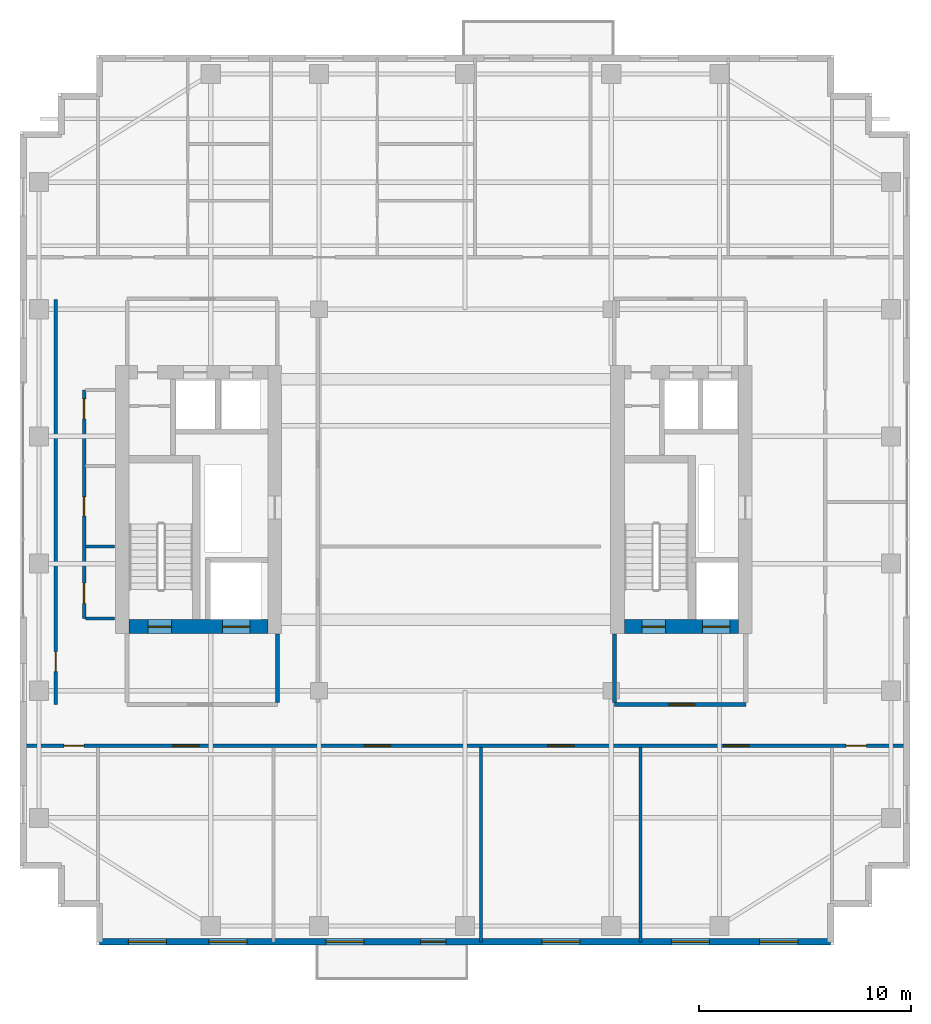
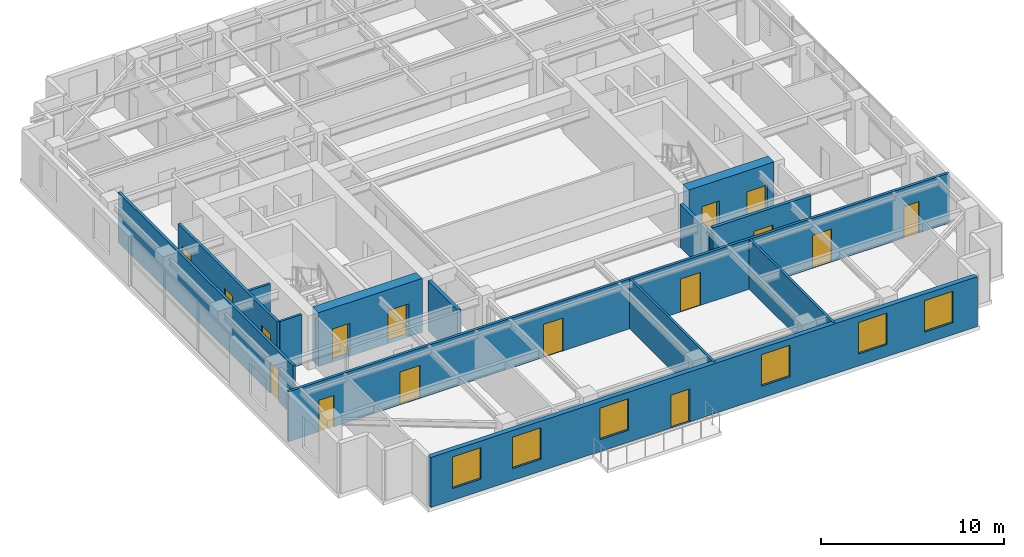
# One storey, part 9 of 14: 16 doors, 13 walls, 6 windows, 22 openings.
"""IFC4 building model written with IfcOpenShell, lengths in metres."""

from ifc_helpers import new_model, si_unit, direction, frame, frame_2d, origin, place, context, subcontext, project, spatial, rectangle, extrude, source, transform, mapped, material, layer, layer_set, type_object, element, fill, save


model = new_model("IFC4")

# Units and contexts
model_context = context("Model", 3, precision=1e-05, world=origin(), true_north=direction((0.0, 1.0)))
body_context = subcontext(model_context, "Body", "Model", "MODEL_VIEW")
ifc_project = project(units=[si_unit("LENGTHUNIT", "METRE"), si_unit("AREAUNIT", "SQUARE_METRE"), si_unit("VOLUMEUNIT", "CUBIC_METRE"), si_unit("PLANEANGLEUNIT", "RADIAN"), si_unit("MASSUNIT", "GRAM", prefix="KILO")], contexts=[model_context])

# Site, building, storey
site_placement = place(None, origin())
site = spatial("IfcSite", under=ifc_project, at=site_placement, CompositionType="ELEMENT")
building_placement = place(site_placement, origin())
building = spatial("IfcBuilding", under=site, at=building_placement, Name="Khoralis Quay Care Tower", CompositionType="ELEMENT")
storey_placement = place(building_placement, frame((0.0, 0.0, 177.300048828125)))
storey = spatial("IfcBuildingStorey", under=building, at=storey_placement, Name="L46", CompositionType="ELEMENT", Elevation=177.300048828125)

# Wall
ifc_material_1 = material(Name="Gypsum plasterboard on acoustic metal stud")
ifc_layer_1 = layer(ifc_material_1, 0.199951171875)
ifc_layer_set_1 = layer_set([ifc_layer_1], Name="Gypsum plasterboard on acoustic metal stud")
wall_type_1 = type_object("IfcWallType", Name="WL-COMP-200", PredefinedType="PARTITIONING", material=ifc_layer_set_1)
wall_1_placement = place(storey_placement, frame((15.14990234375, 11.445068359375, 0.0), z_axis=(0.0, 0.0, 1.0), x_axis=(0.0, 1.0, 0.0)))
element("IfcWall", 1, at=wall_1_placement, inside=storey, type_object=wall_type_1, Name="L46 West Firefighting Lobby East Wall", PredefinedType="PARTITIONING", context=body_context, shape_type="SweptSolid", body=[
    extrude(rectangle(XDim=3.23486328125, YDim=0.199951171875, at=frame_2d((1.617431640625, 0.0))), origin(), (0.0, 0.0, 1.0), 3.33984375),
])

# Wall, opening, door
wall_2_placement = place(storey_placement, frame((31.050048828125, 11.35009765625, 0.0), z_axis=(0.0, 0.0, 1.0), x_axis=(1.0, 0.0, 0.0)))
wall_2 = element("IfcWall", 2, at=wall_2_placement, inside=storey, type_object=wall_type_1, Name="L46 East Firefighting Lobby South Wall", PredefinedType="PARTITIONING", context=body_context, shape_type="SweptSolid", body=[
    extrude(rectangle(XDim=6.199951171875, YDim=0.199951171875, at=frame_2d((3.10009765625, 0.0))), origin(), (0.0, 0.0, 1.0), 3.33984375),
])
opening_1_placement = place(wall_2_placement, frame((2.585693359375, 0.0, 0.0)))
opening_1 = element("IfcOpeningElement", 3, at=opening_1_placement, cuts=wall_2, Name="Opening FD1", PredefinedType="OPENING", context=body_context, shape_type="SweptSolid", body=[
    extrude(rectangle(XDim=1.199951171875, YDim=2.199951171875, at=frame_2d((0.60009765625, 1.10009765625))), frame((0.0, 0.10986328125, 0.0), z_axis=(0.0, -1.0, 0.0), x_axis=(1.0, 0.0, 0.0)), (0.0, 0.0, 1.0), 0.219970703125),
])
ifc_material_2 = material(Name="Fire-rated painted steel", Category="steel")
door_type_1 = type_object("IfcDoorType", Name="DR-FFL-1200X2200", OperationType="NOTDEFINED", PredefinedType="DOOR", material=ifc_material_2)
shared_shape_1 = source(origin(), body_context, "Body", "SweptSolid", [
    extrude(rectangle(XDim=1.199951171875, YDim=2.199951171875, at=frame_2d((0.60009765625, 1.10009765625))), frame((0.0, 0.02490234375, 0.0), z_axis=(0.0, -1.0, 0.0), x_axis=(1.0, 0.0, 0.0)), (0.0, 0.0, 1.0), 0.050048828125),
])
door_1_placement = place(opening_1_placement, origin())
door_1 = element("IfcDoor", 4, at=door_1_placement, inside=storey, type_object=door_type_1, Name="L46 East Firefighting Lobby Fire Door", OperationType="SINGLE_SWING_LEFT", OverallHeight=2.199951171875, OverallWidth=1.199951171875, PredefinedType="DOOR", context=body_context, shape_type="MappedRepresentation", body=[
    mapped(shared_shape_1, transform((0.0, 0.0, 0.0), scale=1.0)),
])
fill(opening_1, door_1)

# Wall
wall_3_placement = place(storey_placement, frame((31.050048828125, 11.445068359375, 0.0), z_axis=(0.0, 0.0, 1.0), x_axis=(0.0, 1.0, 0.0)))
element("IfcWall", 5, at=wall_3_placement, inside=storey, type_object=wall_type_1, Name="L46 East Firefighting Lobby West Wall", PredefinedType="PARTITIONING", context=body_context, shape_type="SweptSolid", body=[
    extrude(rectangle(XDim=3.23486328125, YDim=0.199951171875, at=frame_2d((1.617431640625, 0.0))), origin(), (0.0, 0.0, 1.0), 2.876953125),
])

# Wall, openings, doors
ifc_material_3 = material(Name="Concrete C65/80", Category="concrete")
ifc_layer_2 = layer(ifc_material_3, 0.64990234375)
ifc_layer_set_2 = layer_set([ifc_layer_2], Name="Concrete C65/80")
wall_type_2 = type_object("IfcWallType", Name="WL-CORE-650", PredefinedType="SHEAR", material=ifc_layer_set_2)
wall_4_placement = place(storey_placement, frame((8.14990234375, 15.02490234375, 0.0), z_axis=(0.0, 0.0, 1.0), x_axis=(1.0, 0.0, 0.0)))
wall_4 = element("IfcWall", 6, at=wall_4_placement, inside=storey, type_object=wall_type_2, Name="L46 WCORE South Shear Wall", PredefinedType="SHEAR", context=body_context, shape_type="SweptSolid", body=[
    extrude(rectangle(XDim=6.550048828125, YDim=0.64990234375, at=frame_2d((3.27490234375, 0.0))), origin(), (0.0, 0.0, 1.0), 3.599853515625),
])
opening_2_placement = place(wall_4_placement, frame((0.89990234375, 0.0, 0.0)))
opening_2 = element("IfcOpeningElement", 7, at=opening_2_placement, cuts=wall_4, Name="Opening SD1", PredefinedType="OPENING", context=body_context, shape_type="SweptSolid", body=[
    extrude(rectangle(XDim=1.10009765625, YDim=2.199951171875, at=frame_2d((0.550048828125, 1.10009765625))), frame((0.0, 0.3349609375, 0.0), z_axis=(0.0, -1.0, 0.0), x_axis=(1.0, 0.0, 0.0)), (0.0, 0.0, 1.0), 0.669921875),
])
opening_3_placement = place(wall_4_placement, frame((4.39990234375, 0.0, 0.0)))
opening_3 = element("IfcOpeningElement", 8, at=opening_3_placement, cuts=wall_4, Name="Opening LD2", PredefinedType="OPENING", context=body_context, shape_type="SweptSolid", body=[
    extrude(rectangle(XDim=1.300048828125, YDim=2.199951171875, at=frame_2d((0.64990234375, 1.10009765625))), frame((0.0, 0.3349609375, 0.0), z_axis=(0.0, -1.0, 0.0), x_axis=(1.0, 0.0, 0.0)), (0.0, 0.0, 1.0), 0.669921875),
])
door_type_2 = type_object("IfcDoorType", Name="DR-STAIR-1100X2200", OperationType="NOTDEFINED", PredefinedType="DOOR", material=ifc_material_2)
shared_shape_2 = source(origin(), body_context, "Body", "SweptSolid", [
    extrude(rectangle(XDim=1.10009765625, YDim=2.199951171875, at=frame_2d((0.550048828125, 1.10009765625))), frame((0.0, 0.02490234375, 0.0), z_axis=(0.0, -1.0, 0.0), x_axis=(1.0, 0.0, 0.0)), (0.0, 0.0, 1.0), 0.050048828125),
])
door_2_placement = place(opening_2_placement, origin())
door_2 = element("IfcDoor", 9, at=door_2_placement, inside=storey, type_object=door_type_2, Name="L46 Stair ST-T1 Fire Door", OperationType="SINGLE_SWING_RIGHT", OverallHeight=2.199951171875, OverallWidth=1.10009765625, PredefinedType="DOOR", context=body_context, shape_type="MappedRepresentation", body=[
    mapped(shared_shape_2, transform((0.0, 0.0, 0.0), scale=1.0)),
])
fill(opening_2, door_2)
ifc_material_4 = material(Name="Brushed stainless steel", Category="steel")
door_type_3 = type_object("IfcDoorType", Name="DR-LIFT-1300X2200", OperationType="SLIDING_TO_RIGHT", PredefinedType="DOOR", material=ifc_material_4)
shared_shape_3 = source(origin(), body_context, "Body", "SweptSolid", [
    extrude(rectangle(XDim=1.300048828125, YDim=2.199951171875, at=frame_2d((0.64990234375, 1.10009765625))), frame((0.0, 0.02490234375, 0.0), z_axis=(0.0, -1.0, 0.0), x_axis=(1.0, 0.0, 0.0)), (0.0, 0.0, 1.0), 0.050048828125),
])
door_3_placement = place(opening_3_placement, origin())
door_3 = element("IfcDoor", 10, at=door_3_placement, inside=storey, type_object=door_type_3, Name="L46 Firefighting Lift FFL-1 Landing Door", OperationType="SLIDING_TO_RIGHT", OverallHeight=2.199951171875, OverallWidth=1.300048828125, PredefinedType="DOOR", context=body_context, shape_type="MappedRepresentation", body=[
    mapped(shared_shape_3, transform((0.0, 0.0, 0.0), scale=1.0)),
])
fill(opening_3, door_3)

wall_5_placement = place(storey_placement, frame((31.52001953125, 15.02490234375, 0.0), z_axis=(0.0, 0.0, 1.0), x_axis=(1.0, 0.0, 0.0)))
wall_5 = element("IfcWall", 11, at=wall_5_placement, inside=storey, type_object=wall_type_2, Name="L46 ECORE South Shear Wall", PredefinedType="SHEAR", context=body_context, shape_type="SweptSolid", body=[
    extrude(rectangle(XDim=5.3798828125, YDim=0.64990234375, at=frame_2d((2.68994140625, 0.0))), origin(), (0.0, 0.0, 1.0), 3.599853515625),
])
opening_4_placement = place(wall_5_placement, frame((0.830078125, 0.0, 0.0)))
opening_4 = element("IfcOpeningElement", 12, at=opening_4_placement, cuts=wall_5, Name="Opening SD1", PredefinedType="OPENING", context=body_context, shape_type="SweptSolid", body=[
    extrude(rectangle(XDim=1.10009765625, YDim=2.199951171875, at=frame_2d((0.550048828125, 1.10009765625))), frame((0.0, 0.3349609375, 0.0), z_axis=(0.0, -1.0, 0.0), x_axis=(1.0, 0.0, 0.0)), (0.0, 0.0, 1.0), 0.669921875),
])
opening_5_placement = place(wall_5_placement, frame((3.679931640625, 0.0, 0.0)))
opening_5 = element("IfcOpeningElement", 13, at=opening_5_placement, cuts=wall_5, Name="Opening LD2", PredefinedType="OPENING", context=body_context, shape_type="SweptSolid", body=[
    extrude(rectangle(XDim=1.300048828125, YDim=2.199951171875, at=frame_2d((0.64990234375, 1.10009765625))), frame((0.0, 0.3349609375, 0.0), z_axis=(0.0, -1.0, 0.0), x_axis=(1.0, 0.0, 0.0)), (0.0, 0.0, 1.0), 0.669921875),
])
door_4_placement = place(opening_4_placement, origin())
door_4 = element("IfcDoor", 14, at=door_4_placement, inside=storey, type_object=door_type_2, Name="L46 Stair ST-T2 Fire Door", OperationType="SINGLE_SWING_LEFT", OverallHeight=2.199951171875, OverallWidth=1.10009765625, PredefinedType="DOOR", context=body_context, shape_type="MappedRepresentation", body=[
    mapped(shared_shape_2, transform((0.0, 0.0, 0.0), scale=1.0)),
])
fill(opening_4, door_4)
door_5_placement = place(opening_5_placement, origin())
door_5 = element("IfcDoor", 15, at=door_5_placement, inside=storey, type_object=door_type_3, Name="L46 Firefighting Lift FFL-2 Landing Door", OperationType="SLIDING_TO_RIGHT", OverallHeight=2.199951171875, OverallWidth=1.300048828125, PredefinedType="DOOR", context=body_context, shape_type="MappedRepresentation", body=[
    mapped(shared_shape_3, transform((0.0, 0.0, 0.0), scale=1.0)),
])
fill(opening_5, door_5)

ifc_layer_3 = layer(ifc_material_1, 0.1650390625)
ifc_layer_set_3 = layer_set([ifc_layer_3], Name="Gypsum plasterboard on acoustic metal stud")
wall_type_3 = type_object("IfcWallType", Name="WL-CORR-165", PredefinedType="PARTITIONING", material=ifc_layer_set_3)
wall_6_placement = place(storey_placement, frame((6.02001953125, 15.39990234375, 0.0), z_axis=(0.0, 0.0, 1.0), x_axis=(0.0, 1.0, 0.0)))
wall_6 = element("IfcWall", 16, at=wall_6_placement, inside=storey, type_object=wall_type_3, Name="L46 West Core Service Flank Wall", PredefinedType="PARTITIONING", context=body_context, shape_type="SweptSolid", body=[
    extrude(rectangle(XDim=10.800048828125, YDim=0.1650390625, at=frame_2d((5.39990234375, 0.0))), origin(), (0.0, 0.0, 1.0), 3.33984375),
])
opening_6_placement = place(wall_6_placement, frame((0.72509765625, 0.0, 0.0)))
opening_6 = element("IfcOpeningElement", 17, at=opening_6_placement, cuts=wall_6, Name="Opening ID1", PredefinedType="OPENING", context=body_context, shape_type="SweptSolid", body=[
    extrude(rectangle(XDim=0.949951171875, YDim=2.10009765625, at=frame_2d((0.47509765625, 1.050048828125))), frame((0.0, 0.092529296875, 0.0), z_axis=(0.0, -1.0, 0.0), x_axis=(1.0, 0.0, 0.0)), (0.0, 0.0, 1.0), 0.18505859375),
])
opening_7_placement = place(wall_6_placement, frame((4.85009765625, 0.0, 0.0)))
opening_7 = element("IfcOpeningElement", 18, at=opening_7_placement, cuts=wall_6, Name="Opening WD1", PredefinedType="OPENING", context=body_context, shape_type="SweptSolid", body=[
    extrude(rectangle(XDim=0.89990234375, YDim=2.10009765625, at=frame_2d((0.449951171875, 1.050048828125))), frame((0.0, 0.092529296875, 0.0), z_axis=(0.0, -1.0, 0.0), x_axis=(1.0, 0.0, 0.0)), (0.0, 0.0, 1.0), 0.18505859375),
])
opening_8_placement = place(wall_6_placement, frame((9.425048828125, 0.0, 0.0)))
opening_8 = element("IfcOpeningElement", 19, at=opening_8_placement, cuts=wall_6, Name="Opening ID1", PredefinedType="OPENING", context=body_context, shape_type="SweptSolid", body=[
    extrude(rectangle(XDim=0.949951171875, YDim=2.10009765625, at=frame_2d((0.47509765625, 1.050048828125))), frame((0.0, 0.092529296875, 0.0), z_axis=(0.0, -1.0, 0.0), x_axis=(1.0, 0.0, 0.0)), (0.0, 0.0, 1.0), 0.18505859375),
])
ifc_material_5 = material(Name="Acoustic hardwood timber", Category="wood")
door_type_4 = type_object("IfcDoorType", Name="DR-BATH-900X2100", OperationType="NOTDEFINED", PredefinedType="DOOR", material=ifc_material_5)
shared_shape_4 = source(origin(), body_context, "Body", "SweptSolid", [
    extrude(rectangle(XDim=0.89990234375, YDim=2.10009765625, at=frame_2d((0.449951171875, 1.050048828125))), frame((0.0, 0.02490234375, 0.0), z_axis=(0.0, -1.0, 0.0), x_axis=(1.0, 0.0, 0.0)), (0.0, 0.0, 1.0), 0.050048828125),
])
door_6_placement = place(opening_7_placement, frame((0.89990234375, 0.0, 0.0), z_axis=(0.0, 0.0, 1.0), x_axis=(-1.0, 0.0, 0.0)))
door_6 = element("IfcDoor", 20, at=door_6_placement, inside=storey, type_object=door_type_4, Name="L46 Public Accessible WC Door", OperationType="SINGLE_SWING_RIGHT", OverallHeight=2.10009765625, OverallWidth=0.89990234375, PredefinedType="DOOR", context=body_context, shape_type="MappedRepresentation", body=[
    mapped(shared_shape_4, transform((0.0, 0.0, 0.0), scale=1.0)),
])
fill(opening_7, door_6)
door_type_5 = type_object("IfcDoorType", Name="DR-ROOM-950X2100", OperationType="NOTDEFINED", PredefinedType="DOOR", material=ifc_material_5)
shared_shape_5 = source(origin(), body_context, "Body", "SweptSolid", [
    extrude(rectangle(XDim=0.949951171875, YDim=2.10009765625, at=frame_2d((0.47509765625, 1.050048828125))), frame((0.0, 0.02490234375, 0.0), z_axis=(0.0, -1.0, 0.0), x_axis=(1.0, 0.0, 0.0)), (0.0, 0.0, 1.0), 0.050048828125),
])
door_7_placement = place(opening_6_placement, frame((0.949951171875, 0.0, 0.0), z_axis=(0.0, 0.0, 1.0), x_axis=(-1.0, 0.0, 0.0)))
door_7 = element("IfcDoor", 21, at=door_7_placement, inside=storey, type_object=door_type_5, Name="L46 Clean Utility Store Door", OperationType="SINGLE_SWING_LEFT", OverallHeight=2.10009765625, OverallWidth=0.949951171875, PredefinedType="DOOR", context=body_context, shape_type="MappedRepresentation", body=[
    mapped(shared_shape_5, transform((0.0, 0.0, 0.0), scale=1.0)),
])
fill(opening_6, door_7)
door_8_placement = place(opening_8_placement, frame((0.949951171875, 0.0, 0.0), z_axis=(0.0, 0.0, 1.0), x_axis=(-1.0, 0.0, 0.0)))
door_8 = element("IfcDoor", 22, at=door_8_placement, inside=storey, type_object=door_type_5, Name="L46 Electrical Switchboard Room Door", OperationType="SINGLE_SWING_LEFT", OverallHeight=2.10009765625, OverallWidth=0.949951171875, PredefinedType="DOOR", context=body_context, shape_type="MappedRepresentation", body=[
    mapped(shared_shape_5, transform((0.0, 0.0, 0.0), scale=1.0)),
])
fill(opening_8, door_8)

wall_7_placement = place(storey_placement, frame((3.14501953125, 9.39990234375, 0.0), z_axis=(0.0, 0.0, 1.0), x_axis=(1.0, 0.0, 0.0)))
wall_7 = element("IfcWall", 23, at=wall_7_placement, inside=storey, type_object=wall_type_3, Name="L46 South Main Corridor Wall", PredefinedType="PARTITIONING", context=body_context, shape_type="SweptSolid", body=[
    extrude(rectangle(XDim=41.7099609375, YDim=0.1650390625, at=frame_2d((20.85498046875, 0.0))), origin(), (0.0, 0.0, 1.0), 3.33984375),
])
opening_9_placement = place(wall_7_placement, frame((7.054931640625, 0.0, 0.0)))
opening_9 = element("IfcOpeningElement", 24, at=opening_9_placement, cuts=wall_7, Name="Opening CD1", PredefinedType="OPENING", context=body_context, shape_type="SweptSolid", body=[
    extrude(rectangle(XDim=1.25, YDim=2.199951171875, at=frame_2d((0.625, 1.10009765625))), frame((0.0, 0.092529296875, 0.0), z_axis=(0.0, -1.0, 0.0), x_axis=(1.0, 0.0, 0.0)), (0.0, 0.0, 1.0), 0.18505859375),
])
opening_10_placement = place(wall_7_placement, frame((16.090087890625, 0.0, 0.0)))
opening_10 = element("IfcOpeningElement", 25, at=opening_10_placement, cuts=wall_7, Name="Opening CD1", PredefinedType="OPENING", context=body_context, shape_type="SweptSolid", body=[
    extrude(rectangle(XDim=1.25, YDim=2.199951171875, at=frame_2d((0.625, 1.10009765625))), frame((0.0, 0.092529296875, 0.0), z_axis=(0.0, -1.0, 0.0), x_axis=(1.0, 0.0, 0.0)), (0.0, 0.0, 1.0), 0.18505859375),
])
opening_11_placement = place(wall_7_placement, frame((24.75, 0.0, 0.0)))
opening_11 = element("IfcOpeningElement", 26, at=opening_11_placement, cuts=wall_7, Name="Opening CD1", PredefinedType="OPENING", context=body_context, shape_type="SweptSolid", body=[
    extrude(rectangle(XDim=1.25, YDim=2.199951171875, at=frame_2d((0.625, 1.10009765625))), frame((0.0, 0.092529296875, 0.0), z_axis=(0.0, -1.0, 0.0), x_axis=(1.0, 0.0, 0.0)), (0.0, 0.0, 1.0), 0.18505859375),
])
opening_12_placement = place(wall_7_placement, frame((33.06005859375, 0.0, 0.0)))
opening_12 = element("IfcOpeningElement", 27, at=opening_12_placement, cuts=wall_7, Name="Opening FD1", PredefinedType="OPENING", context=body_context, shape_type="SweptSolid", body=[
    extrude(rectangle(XDim=1.199951171875, YDim=2.199951171875, at=frame_2d((0.60009765625, 1.10009765625))), frame((0.0, 0.092529296875, 0.0), z_axis=(0.0, -1.0, 0.0), x_axis=(1.0, 0.0, 0.0)), (0.0, 0.0, 1.0), 0.18505859375),
])
opening_13_placement = place(wall_7_placement, frame((1.919921875, 0.0, 0.0)))
opening_13 = element("IfcOpeningElement", 28, at=opening_13_placement, cuts=wall_7, Name="Opening ID1", PredefinedType="OPENING", context=body_context, shape_type="SweptSolid", body=[
    extrude(rectangle(XDim=0.949951171875, YDim=2.10009765625, at=frame_2d((0.47509765625, 1.050048828125))), frame((0.0, 0.092529296875, 0.0), z_axis=(0.0, -1.0, 0.0), x_axis=(1.0, 0.0, 0.0)), (0.0, 0.0, 1.0), 0.18505859375),
])
opening_14_placement = place(wall_7_placement, frame((38.840087890625, 0.0, 0.0)))
opening_14 = element("IfcOpeningElement", 29, at=opening_14_placement, cuts=wall_7, Name="Opening ID1", PredefinedType="OPENING", context=body_context, shape_type="SweptSolid", body=[
    extrude(rectangle(XDim=0.949951171875, YDim=2.10009765625, at=frame_2d((0.47509765625, 1.050048828125))), frame((0.0, 0.092529296875, 0.0), z_axis=(0.0, -1.0, 0.0), x_axis=(1.0, 0.0, 0.0)), (0.0, 0.0, 1.0), 0.18505859375),
])
door_9_placement = place(opening_12_placement, frame((1.199951171875, 0.0, 0.0), z_axis=(0.0, 0.0, 1.0), x_axis=(-1.0, 0.0, 0.0)))
door_9 = element("IfcDoor", 30, at=door_9_placement, inside=storey, type_object=door_type_1, Name="L46 Assisted Communal Dining Room Door", OperationType="DOUBLE_DOOR_SINGLE_SWING", OverallHeight=2.199951171875, OverallWidth=1.199951171875, PredefinedType="DOOR", context=body_context, shape_type="MappedRepresentation", body=[
    mapped(shared_shape_1, transform((0.0, 0.0, 0.0), scale=1.0)),
])
fill(opening_12, door_9)
door_type_6 = type_object("IfcDoorType", Name="DR-CARE-1250X2200", OperationType="NOTDEFINED", PredefinedType="DOOR", material=ifc_material_5)
shared_shape_6 = source(origin(), body_context, "Body", "SweptSolid", [
    extrude(rectangle(XDim=1.25, YDim=2.199951171875, at=frame_2d((0.625, 1.10009765625))), frame((0.0, 0.02490234375, 0.0), z_axis=(0.0, -1.0, 0.0), x_axis=(1.0, 0.0, 0.0)), (0.0, 0.0, 1.0), 0.050048828125),
])
door_10_placement = place(opening_9_placement, frame((1.25, 0.0, 0.0), z_axis=(0.0, 0.0, 1.0), x_axis=(-1.0, 0.0, 0.0)))
door_10 = element("IfcDoor", 31, at=door_10_placement, inside=storey, type_object=door_type_6, Name="L46 Geriatric Consultation Clinic Door", OperationType="SINGLE_SWING_RIGHT", OverallHeight=2.199951171875, OverallWidth=1.25, PredefinedType="DOOR", context=body_context, shape_type="MappedRepresentation", body=[
    mapped(shared_shape_6, transform((0.0, 0.0, 0.0), scale=1.0)),
])
fill(opening_9, door_10)
door_11_placement = place(opening_10_placement, frame((1.25, 0.0, 0.0), z_axis=(0.0, 0.0, 1.0), x_axis=(-1.0, 0.0, 0.0)))
door_11 = element("IfcDoor", 32, at=door_11_placement, inside=storey, type_object=door_type_6, Name="L46 Geriatric Consultation Clinic Door", OperationType="SINGLE_SWING_LEFT", OverallHeight=2.199951171875, OverallWidth=1.25, PredefinedType="DOOR", context=body_context, shape_type="MappedRepresentation", body=[
    mapped(shared_shape_6, transform((0.0, 0.0, 0.0), scale=1.0)),
])
fill(opening_10, door_11)
door_12_placement = place(opening_11_placement, frame((1.25, 0.0, 0.0), z_axis=(0.0, 0.0, 1.0), x_axis=(-1.0, 0.0, 0.0)))
door_12 = element("IfcDoor", 33, at=door_12_placement, inside=storey, type_object=door_type_6, Name="L46 Physiotherapy Treatment Clinic Door", OperationType="SINGLE_SWING_RIGHT", OverallHeight=2.199951171875, OverallWidth=1.25, PredefinedType="DOOR", context=body_context, shape_type="MappedRepresentation", body=[
    mapped(shared_shape_6, transform((0.0, 0.0, 0.0), scale=1.0)),
])
fill(opening_11, door_12)
door_13_placement = place(opening_13_placement, frame((0.949951171875, 0.0, 0.0), z_axis=(0.0, 0.0, 1.0), x_axis=(-1.0, 0.0, 0.0)))
door_13 = element("IfcDoor", 34, at=door_13_placement, inside=storey, type_object=door_type_5, Name="L46 SW Corner Door", OperationType="SINGLE_SWING_LEFT", OverallHeight=2.10009765625, OverallWidth=0.949951171875, PredefinedType="DOOR", context=body_context, shape_type="MappedRepresentation", body=[
    mapped(shared_shape_5, transform((0.0, 0.0, 0.0), scale=1.0)),
])
fill(opening_13, door_13)
door_14_placement = place(opening_14_placement, frame((0.949951171875, 0.0, 0.0), z_axis=(0.0, 0.0, 1.0), x_axis=(-1.0, 0.0, 0.0)))
door_14 = element("IfcDoor", 35, at=door_14_placement, inside=storey, type_object=door_type_5, Name="L46 SE Corner Door", OperationType="SINGLE_SWING_RIGHT", OverallHeight=2.10009765625, OverallWidth=0.949951171875, PredefinedType="DOOR", context=body_context, shape_type="MappedRepresentation", body=[
    mapped(shared_shape_5, transform((0.0, 0.0, 0.0), scale=1.0)),
])
fill(opening_14, door_14)

# Wall, opening, door
wall_8_placement = place(storey_placement, frame((4.679931640625, 11.35009765625, 0.0), z_axis=(0.0, 0.0, 1.0), x_axis=(0.0, 1.0, 0.0)))
wall_8 = element("IfcWall", 36, at=wall_8_placement, inside=storey, type_object=wall_type_3, Name="L46 West Sunroom Wall", PredefinedType="PARTITIONING", context=body_context, shape_type="SweptSolid", body=[
    extrude(rectangle(XDim=19.099853515625, YDim=0.1650390625, at=frame_2d((9.5498046875, 0.0))), origin(), (0.0, 0.0, 1.0), 3.33984375),
])
opening_15_placement = place(wall_8_placement, frame((1.550048828125, 0.0, 0.0)))
opening_15 = element("IfcOpeningElement", 37, at=opening_15_placement, cuts=wall_8, Name="Opening ID1", PredefinedType="OPENING", context=body_context, shape_type="SweptSolid", body=[
    extrude(rectangle(XDim=0.949951171875, YDim=2.10009765625, at=frame_2d((0.47509765625, 1.050048828125))), frame((0.0, 0.092529296875, 0.0), z_axis=(0.0, -1.0, 0.0), x_axis=(1.0, 0.0, 0.0)), (0.0, 0.0, 1.0), 0.18505859375),
])
door_15_placement = place(opening_15_placement, frame((0.949951171875, 0.0, 0.0), z_axis=(0.0, 0.0, 1.0), x_axis=(-1.0, 0.0, 0.0)))
door_15 = element("IfcDoor", 38, at=door_15_placement, inside=storey, type_object=door_type_5, Name="L46 West Sunroom Door", OperationType="SINGLE_SWING_LEFT", OverallHeight=2.10009765625, OverallWidth=0.949951171875, PredefinedType="DOOR", context=body_context, shape_type="MappedRepresentation", body=[
    mapped(shared_shape_5, transform((0.0, 0.0, 0.0), scale=1.0)),
])
fill(opening_15, door_15)

# Wall, openings, windows, door
ifc_material_6 = material(Name="Precast concrete C45/55", Category="concrete")
ifc_layer_4 = layer(ifc_material_6, 0.300048828125)
ifc_layer_set_4 = layer_set([ifc_layer_4], Name="Precast concrete C45/55")
wall_type_4 = type_object("IfcWallType", Name="WL-EXT-REF-300", PredefinedType="SOLIDWALL", material=ifc_layer_set_4)
wall_9_placement = place(storey_placement, frame((6.75, 0.14990234375, 0.0), z_axis=(0.0, 0.0, 1.0), x_axis=(1.0, 0.0, 0.0)))
wall_9 = element("IfcWall", 39, at=wall_9_placement, inside=storey, type_object=wall_type_4, Name="L46 External Facade Wall WL-EXT-L46-P1-E0", PredefinedType="SOLIDWALL", context=body_context, shape_type="SweptSolid", body=[
    extrude(rectangle(XDim=34.5, YDim=0.300048828125, at=frame_2d((17.25, 0.0))), origin(), (0.0, 0.0, 1.0), 3.33984375),
])
opening_16_placement = place(wall_9_placement, frame((1.360107421875, 0.0, 0.800048828125)))
opening_16 = element("IfcOpeningElement", 40, at=opening_16_placement, cuts=wall_9, Name="Opening W2", PredefinedType="OPENING", context=body_context, shape_type="SweptSolid", body=[
    extrude(rectangle(XDim=1.800048828125, YDim=2.10009765625, at=frame_2d((0.89990234375, 1.050048828125))), frame((0.0, 0.16015625, 0.0), z_axis=(0.0, -1.0, 0.0), x_axis=(1.0, 0.0, 0.0)), (0.0, 0.0, 1.0), 0.320068359375),
])
opening_17_placement = place(wall_9_placement, frame((5.159912109375, 0.0, 0.800048828125)))
opening_17 = element("IfcOpeningElement", 41, at=opening_17_placement, cuts=wall_9, Name="Opening W2", PredefinedType="OPENING", context=body_context, shape_type="SweptSolid", body=[
    extrude(rectangle(XDim=1.800048828125, YDim=2.10009765625, at=frame_2d((0.89990234375, 1.050048828125))), frame((0.0, 0.16015625, 0.0), z_axis=(0.0, -1.0, 0.0), x_axis=(1.0, 0.0, 0.0)), (0.0, 0.0, 1.0), 0.320068359375),
])
opening_18_placement = place(wall_9_placement, frame((10.68994140625, 0.0, 0.800048828125)))
opening_18 = element("IfcOpeningElement", 42, at=opening_18_placement, cuts=wall_9, Name="Opening W2", PredefinedType="OPENING", context=body_context, shape_type="SweptSolid", body=[
    extrude(rectangle(XDim=1.800048828125, YDim=2.10009765625, at=frame_2d((0.89990234375, 1.050048828125))), frame((0.0, 0.16015625, 0.0), z_axis=(0.0, -1.0, 0.0), x_axis=(1.0, 0.0, 0.0)), (0.0, 0.0, 1.0), 0.320068359375),
])
opening_19_placement = place(wall_9_placement, frame((20.8701171875, 0.0, 0.800048828125)))
opening_19 = element("IfcOpeningElement", 43, at=opening_19_placement, cuts=wall_9, Name="Opening W2", PredefinedType="OPENING", context=body_context, shape_type="SweptSolid", body=[
    extrude(rectangle(XDim=1.800048828125, YDim=2.10009765625, at=frame_2d((0.89990234375, 1.050048828125))), frame((0.0, 0.16015625, 0.0), z_axis=(0.0, -1.0, 0.0), x_axis=(1.0, 0.0, 0.0)), (0.0, 0.0, 1.0), 0.320068359375),
])
opening_20_placement = place(wall_9_placement, frame((26.985107421875, 0.0, 0.800048828125)))
opening_20 = element("IfcOpeningElement", 44, at=opening_20_placement, cuts=wall_9, Name="Opening W2", PredefinedType="OPENING", context=body_context, shape_type="SweptSolid", body=[
    extrude(rectangle(XDim=1.800048828125, YDim=2.10009765625, at=frame_2d((0.89990234375, 1.050048828125))), frame((0.0, 0.16015625, 0.0), z_axis=(0.0, -1.0, 0.0), x_axis=(1.0, 0.0, 0.0)), (0.0, 0.0, 1.0), 0.320068359375),
])
opening_21_placement = place(wall_9_placement, frame((31.155029296875, 0.0, 0.800048828125)))
opening_21 = element("IfcOpeningElement", 45, at=opening_21_placement, cuts=wall_9, Name="Opening W2", PredefinedType="OPENING", context=body_context, shape_type="SweptSolid", body=[
    extrude(rectangle(XDim=1.800048828125, YDim=2.10009765625, at=frame_2d((0.89990234375, 1.050048828125))), frame((0.0, 0.16015625, 0.0), z_axis=(0.0, -1.0, 0.0), x_axis=(1.0, 0.0, 0.0)), (0.0, 0.0, 1.0), 0.320068359375),
])
opening_22_placement = place(wall_9_placement, frame((15.14990234375, 0.0, 0.0)))
opening_22 = element("IfcOpeningElement", 46, at=opening_22_placement, cuts=wall_9, Name="Opening BD1", PredefinedType="OPENING", context=body_context, shape_type="SweptSolid", body=[
    extrude(rectangle(XDim=1.199951171875, YDim=2.199951171875, at=frame_2d((0.60009765625, 1.10009765625))), frame((0.0, 0.16015625, 0.0), z_axis=(0.0, -1.0, 0.0), x_axis=(1.0, 0.0, 0.0)), (0.0, 0.0, 1.0), 0.320068359375),
])
ifc_material_7 = material(Name="Low-E solar-control double glazing", Category="glass")
window_type = type_object("IfcWindowType", Name="WN-POD-1800X2100", PartitioningType="SINGLE_PANEL", PredefinedType="WINDOW", material=ifc_material_7)
shared_shape_7 = source(origin(), body_context, "Body", "SweptSolid", [
    extrude(rectangle(XDim=1.800048828125, YDim=2.10009765625, at=frame_2d((0.89990234375, 1.050048828125))), frame((0.0, 0.030029296875, 0.0), z_axis=(0.0, -1.0, 0.0), x_axis=(1.0, 0.0, 0.0)), (0.0, 0.0, 1.0), 0.06005859375),
])
window_1_placement = place(opening_16_placement, origin())
window_1 = element("IfcWindow", 47, at=window_1_placement, inside=storey, type_object=window_type, Name="WN-L46-P1-E0 Facade Window 01", OverallHeight=2.10009765625, OverallWidth=1.800048828125, PartitioningType="SINGLE_PANEL", PredefinedType="WINDOW", context=body_context, shape_type="MappedRepresentation", body=[
    mapped(shared_shape_7, transform((0.0, 0.0, 0.0), scale=1.0)),
])
fill(opening_16, window_1)
window_2_placement = place(opening_17_placement, origin())
window_2 = element("IfcWindow", 48, at=window_2_placement, inside=storey, type_object=window_type, Name="WN-L46-P1-E0 Facade Window 02", OverallHeight=2.10009765625, OverallWidth=1.800048828125, PartitioningType="SINGLE_PANEL", PredefinedType="WINDOW", context=body_context, shape_type="MappedRepresentation", body=[
    mapped(shared_shape_7, transform((0.0, 0.0, 0.0), scale=1.0)),
])
fill(opening_17, window_2)
window_3_placement = place(opening_18_placement, origin())
window_3 = element("IfcWindow", 49, at=window_3_placement, inside=storey, type_object=window_type, Name="WN-L46-P1-E0 Facade Window 03", OverallHeight=2.10009765625, OverallWidth=1.800048828125, PartitioningType="SINGLE_PANEL", PredefinedType="WINDOW", context=body_context, shape_type="MappedRepresentation", body=[
    mapped(shared_shape_7, transform((0.0, 0.0, 0.0), scale=1.0)),
])
fill(opening_18, window_3)
window_4_placement = place(opening_19_placement, origin())
window_4 = element("IfcWindow", 50, at=window_4_placement, inside=storey, type_object=window_type, Name="WN-L46-P1-E0 Facade Window 04", OverallHeight=2.10009765625, OverallWidth=1.800048828125, PartitioningType="SINGLE_PANEL", PredefinedType="WINDOW", context=body_context, shape_type="MappedRepresentation", body=[
    mapped(shared_shape_7, transform((0.0, 0.0, 0.0), scale=1.0)),
])
fill(opening_19, window_4)
window_5_placement = place(opening_20_placement, origin())
window_5 = element("IfcWindow", 51, at=window_5_placement, inside=storey, type_object=window_type, Name="WN-L46-P1-E0 Facade Window 05", OverallHeight=2.10009765625, OverallWidth=1.800048828125, PartitioningType="SINGLE_PANEL", PredefinedType="WINDOW", context=body_context, shape_type="MappedRepresentation", body=[
    mapped(shared_shape_7, transform((0.0, 0.0, 0.0), scale=1.0)),
])
fill(opening_20, window_5)
window_6_placement = place(opening_21_placement, origin())
window_6 = element("IfcWindow", 52, at=window_6_placement, inside=storey, type_object=window_type, Name="WN-L46-P1-E0 Facade Window 06", OverallHeight=2.10009765625, OverallWidth=1.800048828125, PartitioningType="SINGLE_PANEL", PredefinedType="WINDOW", context=body_context, shape_type="MappedRepresentation", body=[
    mapped(shared_shape_7, transform((0.0, 0.0, 0.0), scale=1.0)),
])
fill(opening_21, window_6)
ifc_material_8 = material(Name="Anodised aluminium and laminated safety glass", Category="aluminium")
door_type_7 = type_object("IfcDoorType", Name="DR-EXT-BALC-1200X2200", OperationType="NOTDEFINED", PredefinedType="DOOR", material=ifc_material_8)
shared_shape_8 = source(origin(), body_context, "Body", "SweptSolid", [
    extrude(rectangle(XDim=1.199951171875, YDim=2.199951171875, at=frame_2d((0.60009765625, 1.10009765625))), frame((0.0, 0.02490234375, 0.0), z_axis=(0.0, -1.0, 0.0), x_axis=(1.0, 0.0, 0.0)), (0.0, 0.0, 1.0), 0.050048828125),
])
door_16_placement = place(opening_22_placement, frame((1.199951171875, 0.0, 0.0), z_axis=(0.0, 0.0, 1.0), x_axis=(-1.0, 0.0, 0.0)))
door_16 = element("IfcDoor", 53, at=door_16_placement, inside=storey, type_object=door_type_7, Name="L46 Senior Loggia Balcony Door", OperationType="SINGLE_SWING_LEFT", OverallHeight=2.199951171875, OverallWidth=1.199951171875, PredefinedType="DOOR", context=body_context, shape_type="MappedRepresentation", body=[
    mapped(shared_shape_8, transform((0.0, 0.0, 0.0), scale=1.0)),
])
fill(opening_22, door_16)

# Walls
ifc_material_9 = material(Name="Moisture-resistant gypsum and ceramic tile")
ifc_layer_5 = layer(ifc_material_9, 0.280029296875)
ifc_layer_set_5 = layer_set([ifc_layer_5], Name="Moisture-resistant gypsum and ceramic tile")
wall_type_5 = type_object("IfcWallType", Name="WL-PLUMB-280", PredefinedType="PLUMBINGWALL", material=ifc_layer_set_5)
wall_10_placement = place(storey_placement, frame((6.097412109375, 18.800048828125, 0.0), z_axis=(0.0, 0.0, 1.0), x_axis=(1.0, 0.0, 0.0)))
element("IfcWall", 54, at=wall_10_placement, inside=storey, type_object=wall_type_5, Name="L46 West Flank Divider 1", PredefinedType="PLUMBINGWALL", context=body_context, shape_type="SweptSolid", body=[
    extrude(rectangle(XDim=1.362548828125, YDim=0.139892578125, at=frame_2d((0.68115234375, 0.0))), origin(), (0.0, 0.0, 1.0), 3.33984375),
])
ifc_layer_6 = layer(ifc_material_1, 0.139892578125)
ifc_layer_set_6 = layer_set([ifc_layer_6], Name="Gypsum plasterboard on acoustic metal stud")
wall_type_6 = type_object("IfcWallType", Name="WL-UNIT-140", PredefinedType="PARTITIONING", material=ifc_layer_set_6)
wall_11_placement = place(storey_placement, frame((6.097412109375, 15.39990234375, 0.0), z_axis=(0.0, 0.0, 1.0), x_axis=(1.0, 0.0, 0.0)))
element("IfcWall", 55, at=wall_11_placement, inside=storey, type_object=wall_type_6, Name="L46 West Flank South Cap", PredefinedType="PARTITIONING", context=body_context, shape_type="SweptSolid", body=[
    extrude(rectangle(XDim=1.362548828125, YDim=0.139892578125, at=frame_2d((0.68115234375, 0.0))), origin(), (0.0, 0.0, 1.0), 3.33984375),
])
for number, where, z_axis, x_axis, name in (
    (56, (24.75, 0.14501953125, 0.0), (0.0, 0.0, 1.0), (0.0, 1.0, 0.0), "L46 SB Demising Wall 2"),
    (57, (32.2900390625, 0.14501953125, 0.0), (0.0, 0.0, 1.0), (0.0, 1.0, 0.0), "L46 SB Demising Wall 3"),
):
    element("IfcWall", number, at=place(storey_placement, frame(where, z_axis=z_axis, x_axis=x_axis)), inside=storey, type_object=wall_type_6, Name=name, PredefinedType="PARTITIONING", context=body_context, shape_type="SweptSolid", body=[
        extrude(rectangle(XDim=9.177490234375, YDim=0.139892578125, at=frame_2d((4.5888671875, 0.0))), origin(), (0.0, 0.0, 1.0), 3.33984375),
    ])

save(model, "model.ifc")
